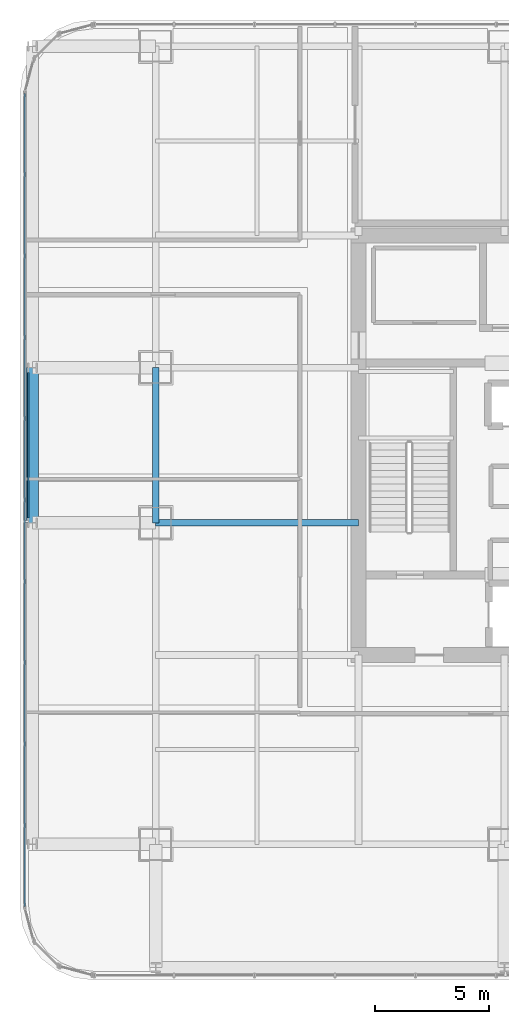
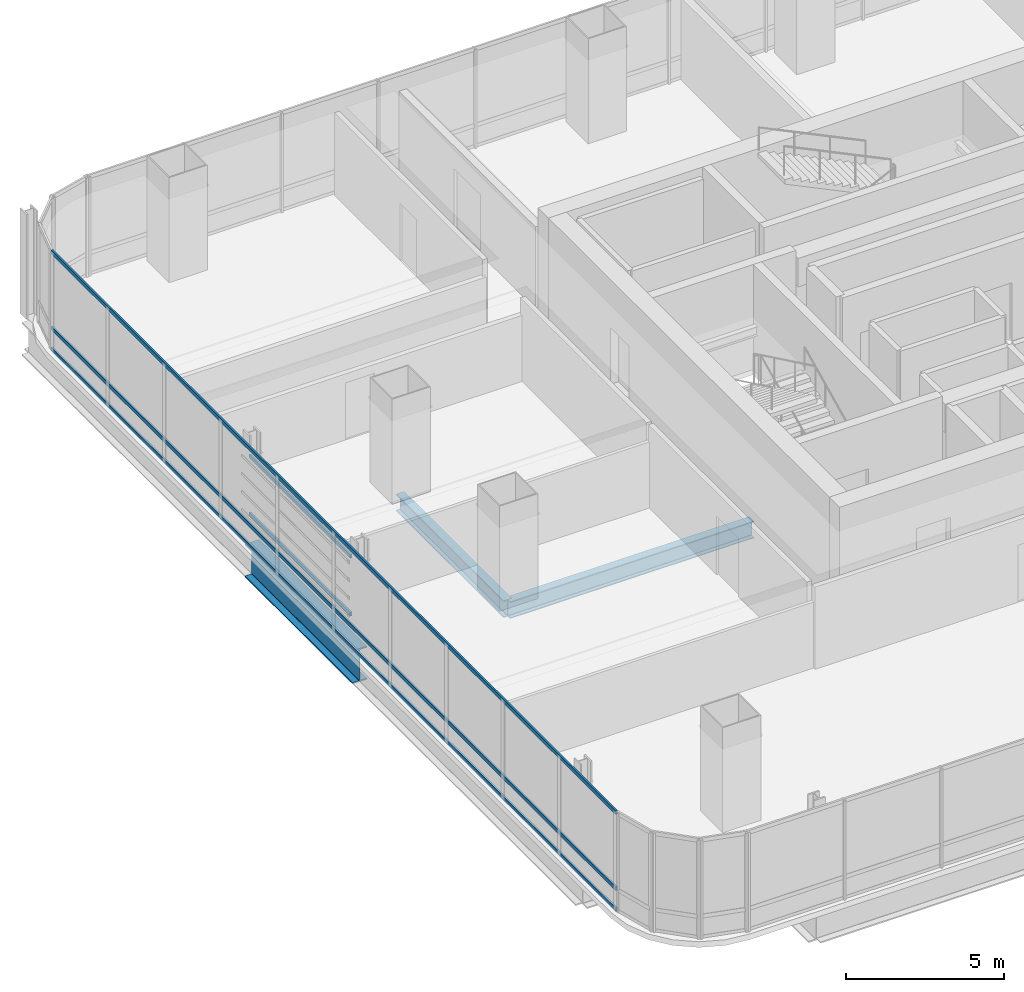
# One storey, part 10 of 36: 5 members, 3 beams, 1 element without a shape of its own.
"""IFC4 building model written with IfcOpenShell, lengths in metres."""

from ifc_helpers import new_model, si_unit, direction, frame, origin, origin_2d, place, context, subcontext, project, spatial, hollow_rectangle, i_section, extrude, material, material_profile, profile_set, type_object, element, aggregate, save


model = new_model("IFC4")

# Units and contexts
model_context = context("Model", 3, precision=1e-05, world=origin(), true_north=direction((0.0, 1.0)))
body_context = subcontext(model_context, "Body", "Model", "MODEL_VIEW")
ifc_project = project(units=[si_unit("LENGTHUNIT", "METRE"), si_unit("AREAUNIT", "SQUARE_METRE"), si_unit("VOLUMEUNIT", "CUBIC_METRE"), si_unit("PLANEANGLEUNIT", "RADIAN"), si_unit("MASSUNIT", "GRAM", prefix="KILO")], contexts=[model_context])

# Site, building, storey
site_placement = place(None, origin())
site = spatial("IfcSite", under=ifc_project, at=site_placement, CompositionType="ELEMENT")
building_placement = place(site_placement, origin())
building = spatial("IfcBuilding", under=site, at=building_placement, Name="Punatoya Terracotta Tower", CompositionType="ELEMENT")
storey_placement = place(building_placement, frame((0.0, 0.0, 180.300048828125)))
storey = spatial("IfcBuildingStorey", under=building, at=storey_placement, Name="L42", CompositionType="ELEMENT", Elevation=180.300048828125)

# Beams
ifc_material_1 = material(Name="Steel S355", Category="steel")
ifc_material_profile_1 = material_profile(ifc_material_1, i_section(OverallWidth=0.300048828125, OverallDepth=0.64990234375, WebThickness=0.01611328125, FlangeThickness=0.031005859375, FilletRadius=0.01806640625, at=origin_2d()))
ifc_profile_set_1 = profile_set([ifc_material_profile_1], Name="Steel S355")
beam_type_1 = type_object("IfcBeamType", Name="BM-PRI-650", PredefinedType="BEAM", material=ifc_profile_set_1)
beam_1_placement = place(storey_placement, frame((-19.10009765625, -3.39990234375, -0.545166015625), z_axis=(0.0, 1.0, 0.0), x_axis=(-1.0, 0.0, 0.0)))
element("IfcBeam", 1, at=beam_1_placement, inside=storey, type_object=beam_type_1, Name="BM-L42-RG-W2", PredefinedType="BEAM", context=body_context, shape_type="SweptSolid", body=[
    extrude(i_section(OverallWidth=0.300048828125, OverallDepth=0.64990234375, WebThickness=0.01611328125, FlangeThickness=0.031005859375, FilletRadius=0.01806640625, at=origin_2d()), origin(), (0.0, 0.0, 1.0), 6.7998046875),
])
beam_2_placement = place(storey_placement, frame((-19.10009765625, -3.39990234375, -0.545166015625), z_axis=(1.0, 0.0, 0.0), x_axis=(0.0, 1.0, 0.0)))
element("IfcBeam", 2, at=beam_2_placement, inside=storey, type_object=beam_type_1, Name="BM-L42-PR-WD", PredefinedType="BEAM", context=body_context, shape_type="SweptSolid", body=[
    extrude(i_section(OverallWidth=0.300048828125, OverallDepth=0.64990234375, WebThickness=0.01611328125, FlangeThickness=0.031005859375, FilletRadius=0.01806640625, at=origin_2d()), origin(), (0.0, 0.0, 1.0), 8.900146484375),
])
ifc_material_2 = material(Name="Steel S460", Category="steel")
ifc_material_profile_2 = material_profile(ifc_material_2, i_section(OverallWidth=0.52001953125, OverallDepth=1.280029296875, WebThickness=0.031982421875, FlangeThickness=0.050048828125, FilletRadius=0.01806640625, at=origin_2d()))
ifc_profile_set_2 = profile_set([ifc_material_profile_2], Name="Steel S460")
beam_type_2 = type_object("IfcBeamType", Name="BM-TG-NCK", PredefinedType="BEAM", material=ifc_profile_set_2)
beam_3_placement = place(storey_placement, frame((-24.5, -3.39990234375, -0.860107421875), z_axis=(0.0, 1.0, 0.0), x_axis=(-1.0, 0.0, 0.0)))
element("IfcBeam", 3, at=beam_3_placement, inside=storey, type_object=beam_type_2, Name="BM-L42-PER-W2", PredefinedType="BEAM", context=body_context, shape_type="SweptSolid", body=[
    extrude(i_section(OverallWidth=0.52001953125, OverallDepth=1.280029296875, WebThickness=0.031982421875, FlangeThickness=0.050048828125, FilletRadius=0.01806640625, at=origin_2d()), origin(), (0.0, 0.0, 1.0), 6.7998046875),
])

# Curtain wall, members
ifc_material_3 = material(Name="Aluminium 6063-T6 + Double Low-E Glass", Category="aluminium")
curtain_wall_type = type_object("IfcCurtainWallType", Name="CW-M2", PredefinedType="NOTDEFINED", material=ifc_material_3)
curtain_wall_placement = place(storey_placement, origin())
curtain_wall = element("IfcCurtainWall", 4, at=curtain_wall_placement, inside=storey, type_object=curtain_wall_type, Name="L42 Curtain Wall CW-L42-W13-1", PredefinedType="NOTDEFINED")
ifc_material_4 = material(Name="Aluminium 6063-T6", Category="aluminium")
ifc_material_profile_3 = material_profile(ifc_material_4, hollow_rectangle(XDim=0.068115234375, YDim=0.14990234375, WallThickness=0.00390625, at=origin_2d()))
ifc_profile_set_3 = profile_set([ifc_material_profile_3], Name="Aluminium 6063-T6")
member_type_1 = type_object("IfcMemberType", Name="CW-TRN-TYP", PredefinedType="USERDEFINED", material=ifc_profile_set_3)
member_1_placement = place(storey_placement, frame((-24.85009765625, 15.43701171875, 0.0400390625), z_axis=(0.0, -1.0, 0.0), x_axis=(1.0, 0.0, 0.0)))
member_1 = element("IfcMember", 5, at=member_1_placement, type_object=member_type_1, Name="CW-L42-W13-1 Transom 1", ObjectType="TRANSOM", PredefinedType="USERDEFINED", context=body_context, shape_type="SweptSolid", body=[
    extrude(hollow_rectangle(XDim=0.068115234375, YDim=0.14990234375, WallThickness=0.00390625, at=origin_2d()), origin(), (0.0, 0.0, 1.0), 35.673828125),
])
member_2_placement = place(storey_placement, frame((-24.85009765625, 15.43701171875, 0.849853515625), z_axis=(0.0, -1.0, 0.0), x_axis=(1.0, 0.0, 0.0)))
member_2 = element("IfcMember", 6, at=member_2_placement, type_object=member_type_1, Name="CW-L42-W13-1 Transom 2", ObjectType="TRANSOM", PredefinedType="USERDEFINED", context=body_context, shape_type="SweptSolid", body=[
    extrude(hollow_rectangle(XDim=0.068115234375, YDim=0.14990234375, WallThickness=0.00390625, at=origin_2d()), origin(), (0.0, 0.0, 1.0), 35.673828125),
])
member_3_placement = place(storey_placement, frame((-24.85009765625, 15.43701171875, 3.7900390625), z_axis=(0.0, -1.0, 0.0), x_axis=(1.0, 0.0, 0.0)))
member_3 = element("IfcMember", 7, at=member_3_placement, type_object=member_type_1, Name="CW-L42-W13-1 Transom 3", ObjectType="TRANSOM", PredefinedType="USERDEFINED", context=body_context, shape_type="SweptSolid", body=[
    extrude(hollow_rectangle(XDim=0.068115234375, YDim=0.14990234375, WallThickness=0.00390625, at=origin_2d()), origin(), (0.0, 0.0, 1.0), 35.673828125),
])
aggregate(curtain_wall, [member_1, member_2, member_3])

# Members
ifc_material_profile_4 = material_profile(ifc_material_1, hollow_rectangle(XDim=0.070068359375, YDim=0.139892578125, WallThickness=0.006103515625, at=origin_2d()))
ifc_profile_set_4 = profile_set([ifc_material_profile_4], Name="Steel S355")
member_type_2 = type_object("IfcMemberType", Name="MEM-BAG-RAIL", PredefinedType="USERDEFINED", material=ifc_profile_set_4)
for number, where, z_axis, x_axis, name in (
    (8, (-24.694580078125, -3.196044921875, 1.050048828125), (0.0, 1.0, 0.0), (-1.0, 0.0, 0.0), "L42 Terracotta Baguette Carrier Rail BAG-L42-W-R1"),
    (9, (-24.694580078125, -3.196044921875, 3.280029296875), (0.0, 1.0, 0.0), (-1.0, 0.0, 0.0), "L42 Terracotta Baguette Carrier Rail BAG-L42-W-R2"),
):
    element("IfcMember", number, at=place(storey_placement, frame(where, z_axis=z_axis, x_axis=x_axis)), inside=storey, type_object=member_type_2, Name=name, ObjectType="BAGUETTE", PredefinedType="USERDEFINED", context=body_context, shape_type="SweptSolid", body=[
        extrude(hollow_rectangle(XDim=0.070068359375, YDim=0.139892578125, WallThickness=0.006103515625, at=origin_2d()), origin(), (0.0, 0.0, 1.0), 6.39208984375),
    ])

save(model, "model.ifc")
